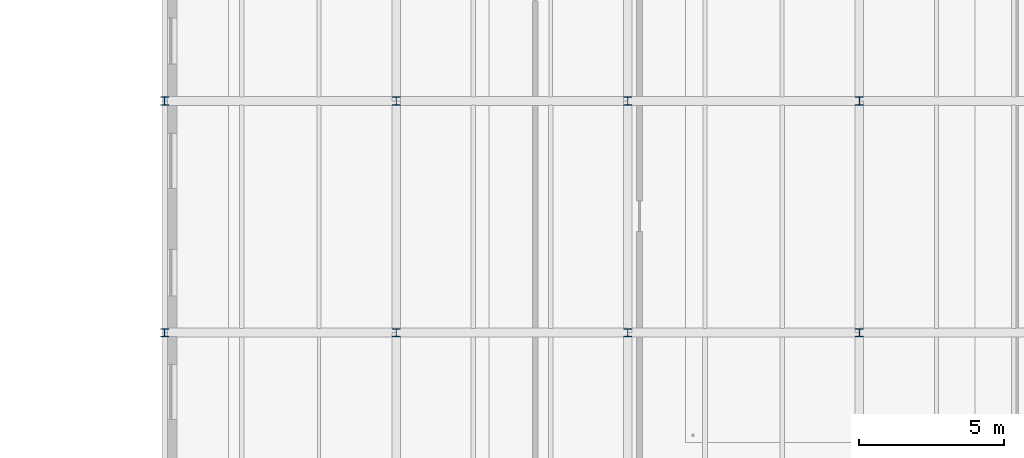
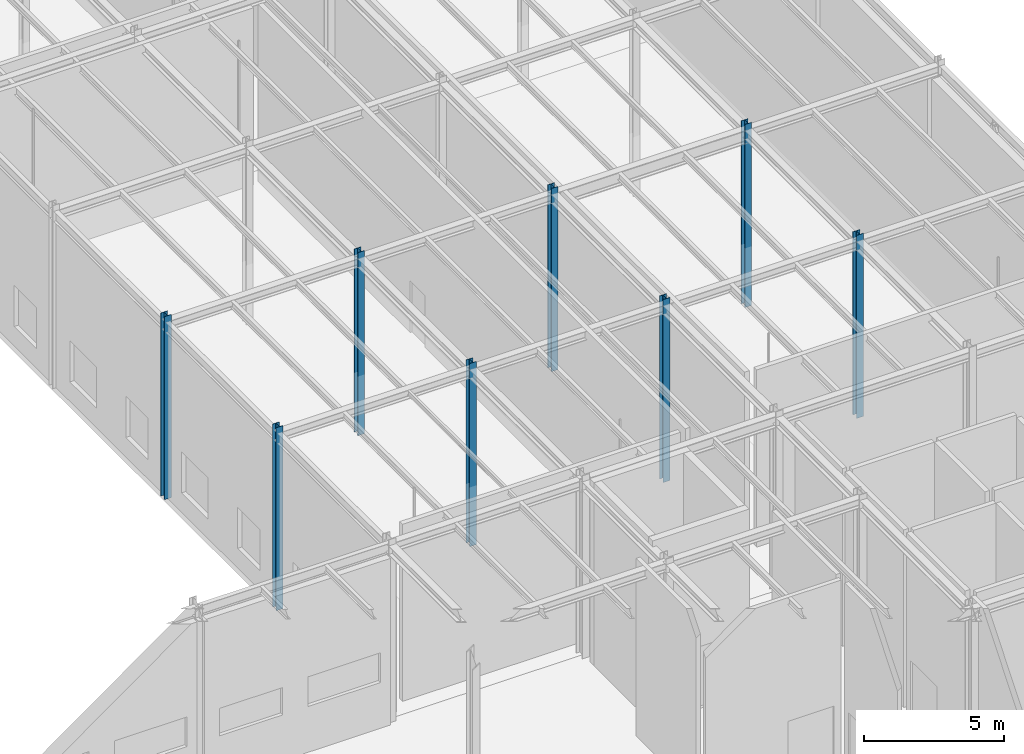
# One storey, part 16 of 138: 8 columns.
"""IFC4 building model written with IfcOpenShell, lengths in metres."""

from ifc_helpers import new_model, si_unit, direction, frame, origin, origin_2d, place, context, subcontext, project, spatial, i_section, extrude, material, material_profile, profile_set, type_object, element, save


model = new_model("IFC4")

# Units and contexts
model_context = context("Model", 3, precision=1e-05, world=origin(), true_north=direction((0.0, 1.0)))
body_context = subcontext(model_context, "Body", "Model", "MODEL_VIEW")
ifc_project = project(units=[si_unit("LENGTHUNIT", "METRE"), si_unit("AREAUNIT", "SQUARE_METRE"), si_unit("VOLUMEUNIT", "CUBIC_METRE"), si_unit("PLANEANGLEUNIT", "RADIAN"), si_unit("MASSUNIT", "GRAM", prefix="KILO")], contexts=[model_context])

# Site, building, storey
site_placement = place(None, origin())
site = spatial("IfcSite", under=ifc_project, at=site_placement, CompositionType="ELEMENT")
building_placement = place(site_placement, origin())
building = spatial("IfcBuilding", under=site, at=building_placement, Name="Sundkrona Museum", CompositionType="ELEMENT")
storey_placement = place(building_placement, frame((0.0, 0.0, 9.60009765625)))
storey = spatial("IfcBuildingStorey", under=building, at=storey_placement, Name="L02", CompositionType="ELEMENT", Elevation=9.60009765625)

# Columns
ifc_material = material(Name="Steel S355J2", Category="steel")
ifc_material_profile = material_profile(ifc_material, i_section(OverallWidth=0.280029296875, OverallDepth=0.280029296875, WebThickness=0.010498046875, FlangeThickness=0.01806640625, FilletRadius=0.02392578125, at=origin_2d()), Name="HEB 280")
ifc_profile_set = profile_set([ifc_material_profile], Name="Steel S355J2")
column_type = type_object("IfcColumnType", Name="C-HEB280", PredefinedType="COLUMN", material=ifc_profile_set)
for number, where, z_axis, x_axis, name in (
    (1, (136.0, 54.0, 0.0), (0.0, 0.0, 1.0), (1.0, 0.0, 0.0), "L02 Column H/18"),
    (2, (136.0, 62.0, 0.0), (0.0, 0.0, 1.0), (1.0, 0.0, 0.0), "L02 Column J/18"),
    (3, (144.0, 54.0, 0.0), (0.0, 0.0, 1.0), (1.0, 0.0, 0.0), "L02 Column H/19"),
    (4, (144.0, 62.0, 0.0), (0.0, 0.0, 1.0), (1.0, 0.0, 0.0), "L02 Column J/19"),
    (5, (152.0, 54.0, 0.0), (0.0, 0.0, 1.0), (1.0, 0.0, 0.0), "L02 Column H/20"),
    (6, (152.0, 62.0, 0.0), (0.0, 0.0, 1.0), (1.0, 0.0, 0.0), "L02 Column J/20"),
    (7, (160.0, 54.0, 0.0), (0.0, 0.0, 1.0), (1.0, 0.0, 0.0), "L02 Column H/21"),
    (8, (160.0, 62.0, 0.0), (0.0, 0.0, 1.0), (1.0, 0.0, 0.0), "L02 Column J/21"),
):
    element("IfcColumn", number, at=place(storey_placement, frame(where, z_axis=z_axis, x_axis=x_axis)), inside=storey, type_object=column_type, Name=name, PredefinedType="COLUMN", context=body_context, shape_type="SweptSolid", body=[
        extrude(i_section(OverallWidth=0.280029296875, OverallDepth=0.280029296875, WebThickness=0.010498046875, FlangeThickness=0.01806640625, FilletRadius=0.02392578125, at=origin_2d()), origin(), (0.0, 0.0, 1.0), 8.0),
    ])

save(model, "model.ifc")
